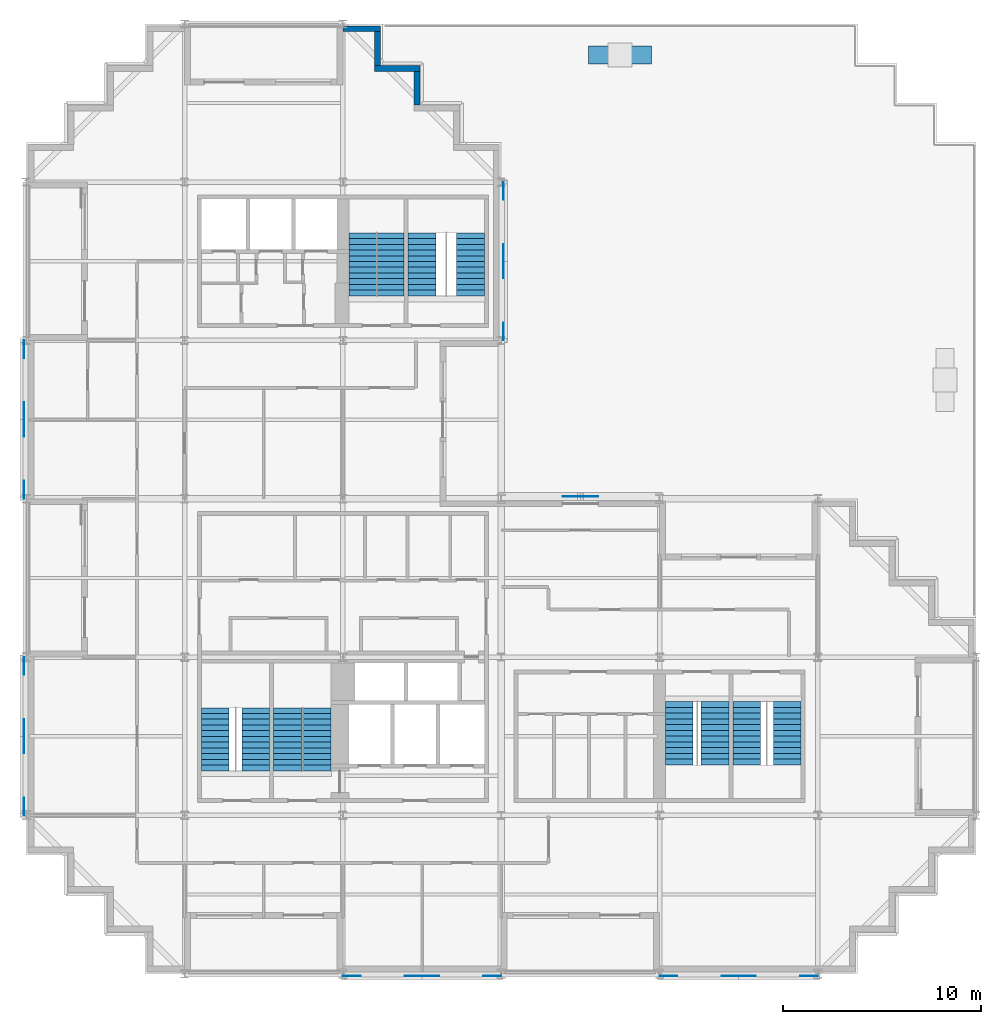
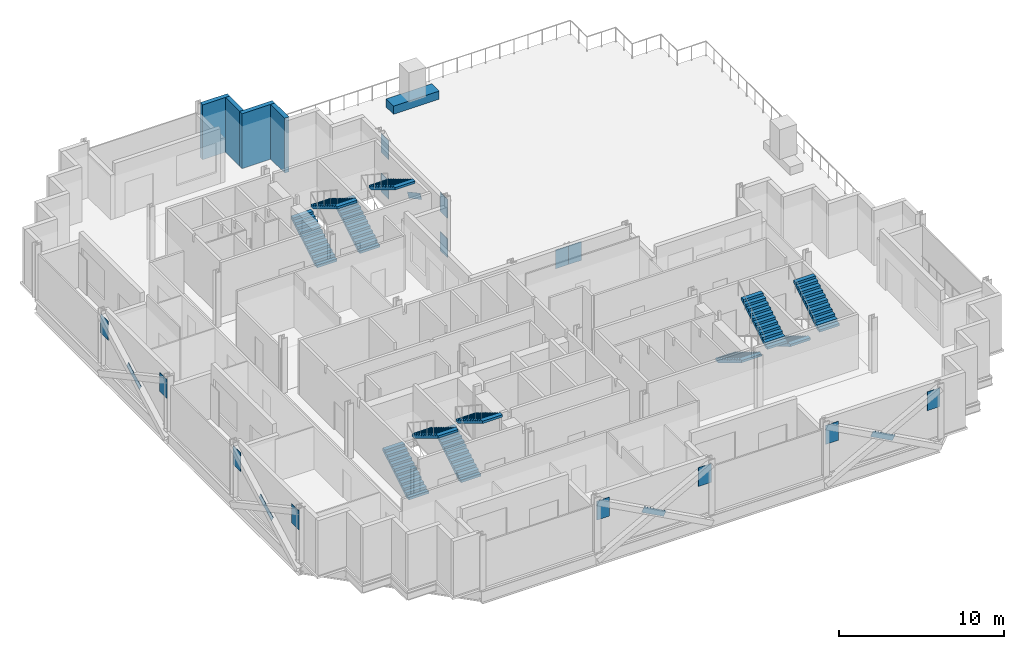
# One storey, part 9 of 12: 19 discrete accessories, 12 stair flights, 5 walls, 6 elements without a shape of their own.
"""IFC4 building model written with IfcOpenShell, lengths in metres."""

from ifc_helpers import new_model, si_unit, direction, frame, frame_2d, origin, origin_2d, place, context, subcontext, project, spatial, polyline, rectangle, outline, extrude, material, layer, layer_set, material_profile, profile_set, type_object, element, aggregate, save


model = new_model("IFC4")

# Units and contexts
model_context = context("Model", 3, precision=1e-05, world=origin(), true_north=direction((0.0, 1.0)))
body_context = subcontext(model_context, "Body", "Model", "MODEL_VIEW")
ifc_project = project(units=[si_unit("LENGTHUNIT", "METRE"), si_unit("AREAUNIT", "SQUARE_METRE"), si_unit("VOLUMEUNIT", "CUBIC_METRE"), si_unit("PLANEANGLEUNIT", "RADIAN"), si_unit("MASSUNIT", "GRAM", prefix="KILO")], contexts=[model_context])

# Site, building, storey
site_placement = place(None, origin())
site = spatial("IfcSite", under=ifc_project, at=site_placement, CompositionType="ELEMENT")
building_placement = place(site_placement, origin())
building = spatial("IfcBuilding", under=site, at=building_placement, Name="Immortelle Media Tower", CompositionType="ELEMENT")
storey_placement = place(building_placement, frame((0.0, 0.0, 120.0)))
storey = spatial("IfcBuildingStorey", under=building, at=storey_placement, Name="L23", CompositionType="ELEMENT", Elevation=120.0)

# Walls
ifc_material_1 = material(Name="Pale aluminium cladding panel", Category="aluminium")
ifc_layer_1 = layer(ifc_material_1, 0.030029296875)
ifc_material_2 = material(Name="Steel ASTM A653 SS Gr 50 stud frame with mineral wool", Category="steel")
ifc_layer_2 = layer(ifc_material_2, 0.257568359375)
ifc_material_3 = material(Name="Moisture-resistant gypsum board", Category="gypsum")
ifc_layer_3 = layer(ifc_material_3, 0.012451171875)
ifc_layer_set_1 = layer_set([ifc_layer_1, ifc_layer_2, ifc_layer_3], Name="Steel ASTM A653 SS Gr 50 stud frame with mineral wool")
wall_type_1 = type_object("IfcWallType", Name="Facade wall 300", PredefinedType="SOLIDWALL", material=ifc_layer_set_1)
wall_1_placement = place(storey_placement, frame((19.75, 43.89990234375, 0.0), z_axis=(0.0, 0.0, 1.0), x_axis=(0.0, 1.0, 0.0)))
element("IfcWall", 1, at=wall_1_placement, inside=storey, type_object=wall_type_1, Name="Facade wall L23 E25", PredefinedType="SOLIDWALL", context=body_context, shape_type="SweptSolid", body=[
    extrude(rectangle(XDim=1.7001953125, YDim=0.300048828125, at=frame_2d((0.85009765625, 0.0))), origin(), (0.0, 0.0, 1.0), 4.050048828125),
])
wall_2_placement = place(storey_placement, frame((19.89990234375, 45.75, 0.0), z_axis=(0.0, 0.0, 1.0), x_axis=(-1.0, 0.0, 0.0)))
element("IfcWall", 2, at=wall_2_placement, inside=storey, type_object=wall_type_1, Name="Facade wall L23 N26", PredefinedType="SOLIDWALL", context=body_context, shape_type="SweptSolid", body=[
    extrude(rectangle(XDim=2.2998046875, YDim=0.300048828125, at=frame_2d((1.14990234375, 0.0))), origin(), (0.0, 0.0, 1.0), 4.050048828125),
])
wall_3_placement = place(storey_placement, frame((17.75, 45.89990234375, 0.0), z_axis=(0.0, 0.0, 1.0), x_axis=(0.0, 1.0, 0.0)))
element("IfcWall", 3, at=wall_3_placement, inside=storey, type_object=wall_type_1, Name="Facade wall L23 E27", PredefinedType="SOLIDWALL", context=body_context, shape_type="SweptSolid", body=[
    extrude(rectangle(XDim=1.7001953125, YDim=0.300048828125, at=frame_2d((0.85009765625, 0.0))), origin(), (0.0, 0.0, 1.0), 4.050048828125),
])
wall_4_placement = place(storey_placement, frame((17.89990234375, 47.75, 0.0), z_axis=(0.0, 0.0, 1.0), x_axis=(-1.0, 0.0, 0.0)))
element("IfcWall", 4, at=wall_4_placement, inside=storey, type_object=wall_type_1, Name="Facade wall L23 N28", PredefinedType="SOLIDWALL", context=body_context, shape_type="SweptSolid", body=[
    extrude(rectangle(XDim=1.89990234375, YDim=0.300048828125, at=frame_2d((0.949951171875, 0.0))), origin(), (0.0, 0.0, 1.0), 4.050048828125),
])
ifc_layer_4 = layer(ifc_material_1, 0.0029296875)
ifc_material_4 = material(Name="Steel ASTM A572 Gr 50 planter shell", Category="steel")
ifc_layer_5 = layer(ifc_material_4, 0.011962890625)
ifc_material_5 = material(Name="Planting substrate", Category="soil")
ifc_layer_6 = layer(ifc_material_5, 0.873046875)
ifc_layer_7 = layer(ifc_material_4, 0.011962890625)
ifc_layer_set_2 = layer_set([ifc_layer_4, ifc_layer_5, ifc_layer_6, ifc_layer_7], Name="Steel ASTM A572 Gr 50 planter shell")
wall_type_2 = type_object("IfcWallType", Name="Planter wall 900", PredefinedType="SOLIDWALL", material=ifc_layer_set_2)
wall_5_placement = place(storey_placement, frame((28.40087890625, 46.429931640625, 0.0), z_axis=(0.0, 0.0, 1.0), x_axis=(1.0, 0.0, 0.0)))
element("IfcWall", 5, at=wall_5_placement, inside=storey, type_object=wall_type_2, Name="Terrace planter L23 NE0.0-1", PredefinedType="SOLIDWALL", context=body_context, shape_type="SweptSolid", body=[
    extrude(rectangle(XDim=3.2001953125, YDim=0.89990234375, at=frame_2d((1.60009765625, 0.0))), origin(), (0.0, 0.0, 1.0), 0.60009765625),
])

# Stair, stair flights
ifc_material_6 = material(Name="Steel ASTM A992 Gr 50", Category="steel")
stair_type = type_object("IfcStairType", Name="Stair with flights", PredefinedType="DOUBLE_RETURN_STAIR", material=ifc_material_6)
stair_1_placement = place(storey_placement, origin())
stair_1 = element("IfcStair", 6, at=stair_1_placement, inside=storey, type_object=stair_type, Name="Exit stair SW1", PredefinedType="DOUBLE_RETURN_STAIR")
stair_flight_type = type_object("IfcStairFlightType", Name="Stair flight 1400", PredefinedType="STRAIGHT", material=ifc_material_6)
stair_flight_1_placement = place(storey_placement, frame((9.550048828125, 10.25, 0.0), z_axis=(0.0, 0.0, 1.0), x_axis=(0.0, 1.0, 0.0)))
stair_flight_1 = element("IfcStairFlight", 7, at=stair_flight_1_placement, type_object=stair_flight_type, Name="ST SW1 flight 1", NumberOfRisers=12, NumberOfTreads=11, PredefinedType="STRAIGHT", RiserHeight=0.175, TreadLength=0.29, context=body_context, shape_type="SweptSolid", body=[
    extrude(outline(polyline([(0.0, 0.0), (0.0, 0.175048828125), (0.2900390625, 0.175048828125), (0.2900390625, 0.35009765625), (0.580078125, 0.35009765625), (0.580078125, 0.52490234375), (0.8701171875, 0.52490234375), (0.8701171875, 0.699951171875), (1.159912109375, 0.699951171875), (1.159912109375, 0.875), (1.449951171875, 0.875), (1.449951171875, 1.050048828125), (1.739990234375, 1.050048828125), (1.739990234375, 1.22509765625), (2.030029296875, 1.22509765625), (2.030029296875, 1.39990234375), (2.320068359375, 1.39990234375), (2.320068359375, 1.574951171875), (2.610107421875, 1.574951171875), (2.610107421875, 1.75), (2.89990234375, 1.75), (2.89990234375, 1.925048828125), (3.18994140625, 1.925048828125), (3.18994140625, 2.10009765625), (3.18994140625, 1.75), (0.2900390625, 0.0), (0.0, 0.0)])), frame((0.0, 0.699951171875, 0.0), z_axis=(0.0, -1.0, 0.0), x_axis=(1.0, 0.0, 0.0)), (0.0, 0.0, 1.0), 1.39990234375),
])
stair_flight_2_placement = place(storey_placement, frame((11.60009765625, 13.43994140625, 2.10009765625), z_axis=(0.0, 0.0, 1.0), x_axis=(0.0, -1.0, 0.0)))
stair_flight_2 = element("IfcStairFlight", 8, at=stair_flight_2_placement, type_object=stair_flight_type, Name="ST SW1 flight 2", NumberOfRisers=12, NumberOfTreads=11, PredefinedType="STRAIGHT", RiserHeight=0.175, TreadLength=0.29, context=body_context, shape_type="SweptSolid", body=[
    extrude(outline(polyline([(0.0, 0.0), (0.0, 0.175048828125), (0.2900390625, 0.175048828125), (0.2900390625, 0.35009765625), (0.580078125, 0.35009765625), (0.580078125, 0.52490234375), (0.8701171875, 0.52490234375), (0.8701171875, 0.699951171875), (1.159912109375, 0.699951171875), (1.159912109375, 0.875), (1.449951171875, 0.875), (1.449951171875, 1.050048828125), (1.739990234375, 1.050048828125), (1.739990234375, 1.22509765625), (2.030029296875, 1.22509765625), (2.030029296875, 1.39990234375), (2.320068359375, 1.39990234375), (2.320068359375, 1.574951171875), (2.610107421875, 1.574951171875), (2.610107421875, 1.75), (2.89990234375, 1.75), (2.89990234375, 1.925048828125), (3.18994140625, 1.925048828125), (3.18994140625, 2.10009765625), (3.18994140625, 1.75), (0.2900390625, 0.0), (0.0, 0.0)])), frame((0.0, 0.699951171875, 0.0), z_axis=(0.0, -1.0, 0.0), x_axis=(1.0, 0.0, 0.0)), (0.0, 0.0, 1.0), 1.39990234375),
])
aggregate(stair_1, [stair_flight_1, stair_flight_2])

stair_2_placement = place(storey_placement, origin())
stair_2 = element("IfcStair", 9, at=stair_2_placement, inside=storey, type_object=stair_type, Name="Exit stair SW2", PredefinedType="DOUBLE_RETURN_STAIR")
stair_flight_3_placement = place(storey_placement, frame((13.199951171875, 10.25, 0.0), z_axis=(0.0, 0.0, 1.0), x_axis=(0.0, 1.0, 0.0)))
stair_flight_3 = element("IfcStairFlight", 10, at=stair_flight_3_placement, type_object=stair_flight_type, Name="ST SW2 flight 1", NumberOfRisers=12, NumberOfTreads=11, PredefinedType="STRAIGHT", RiserHeight=0.175, TreadLength=0.29, context=body_context, shape_type="SweptSolid", body=[
    extrude(outline(polyline([(0.0, 0.0), (0.0, 0.175048828125), (0.2900390625, 0.175048828125), (0.2900390625, 0.35009765625), (0.580078125, 0.35009765625), (0.580078125, 0.52490234375), (0.8701171875, 0.52490234375), (0.8701171875, 0.699951171875), (1.159912109375, 0.699951171875), (1.159912109375, 0.875), (1.449951171875, 0.875), (1.449951171875, 1.050048828125), (1.739990234375, 1.050048828125), (1.739990234375, 1.22509765625), (2.030029296875, 1.22509765625), (2.030029296875, 1.39990234375), (2.320068359375, 1.39990234375), (2.320068359375, 1.574951171875), (2.610107421875, 1.574951171875), (2.610107421875, 1.75), (2.89990234375, 1.75), (2.89990234375, 1.925048828125), (3.18994140625, 1.925048828125), (3.18994140625, 2.10009765625), (3.18994140625, 1.75), (0.2900390625, 0.0), (0.0, 0.0)])), frame((0.0, 0.699951171875, 0.0), z_axis=(0.0, -1.0, 0.0), x_axis=(1.0, 0.0, 0.0)), (0.0, 0.0, 1.0), 1.39990234375),
])
stair_flight_4_placement = place(storey_placement, frame((14.699951171875, 13.43994140625, 2.10009765625), z_axis=(0.0, 0.0, 1.0), x_axis=(0.0, -1.0, 0.0)))
stair_flight_4 = element("IfcStairFlight", 11, at=stair_flight_4_placement, type_object=stair_flight_type, Name="ST SW2 flight 2", NumberOfRisers=12, NumberOfTreads=11, PredefinedType="STRAIGHT", RiserHeight=0.175, TreadLength=0.29, context=body_context, shape_type="SweptSolid", body=[
    extrude(outline(polyline([(0.0, 0.0), (0.0, 0.175048828125), (0.2900390625, 0.175048828125), (0.2900390625, 0.35009765625), (0.580078125, 0.35009765625), (0.580078125, 0.52490234375), (0.8701171875, 0.52490234375), (0.8701171875, 0.699951171875), (1.159912109375, 0.699951171875), (1.159912109375, 0.875), (1.449951171875, 0.875), (1.449951171875, 1.050048828125), (1.739990234375, 1.050048828125), (1.739990234375, 1.22509765625), (2.030029296875, 1.22509765625), (2.030029296875, 1.39990234375), (2.320068359375, 1.39990234375), (2.320068359375, 1.574951171875), (2.610107421875, 1.574951171875), (2.610107421875, 1.75), (2.89990234375, 1.75), (2.89990234375, 1.925048828125), (3.18994140625, 1.925048828125), (3.18994140625, 2.10009765625), (3.18994140625, 1.75), (0.2900390625, 0.0), (0.0, 0.0)])), frame((0.0, 0.699951171875, 0.0), z_axis=(0.0, -1.0, 0.0), x_axis=(1.0, 0.0, 0.0)), (0.0, 0.0, 1.0), 1.39990234375),
])
aggregate(stair_2, [stair_flight_3, stair_flight_4])

stair_3_placement = place(storey_placement, origin())
stair_3 = element("IfcStair", 12, at=stair_3_placement, inside=storey, type_object=stair_type, Name="Exit stair SE1", PredefinedType="DOUBLE_RETURN_STAIR")
stair_flight_5_placement = place(storey_placement, frame((33.0, 13.75, 0.0), z_axis=(0.0, 0.0, 1.0), x_axis=(0.0, -1.0, 0.0)))
stair_flight_5 = element("IfcStairFlight", 13, at=stair_flight_5_placement, type_object=stair_flight_type, Name="ST SE1 flight 1", NumberOfRisers=12, NumberOfTreads=11, PredefinedType="STRAIGHT", RiserHeight=0.175, TreadLength=0.29, context=body_context, shape_type="SweptSolid", body=[
    extrude(outline(polyline([(0.0, 0.0), (0.0, 0.175048828125), (0.2900390625, 0.175048828125), (0.2900390625, 0.35009765625), (0.580078125, 0.35009765625), (0.580078125, 0.52490234375), (0.8701171875, 0.52490234375), (0.8701171875, 0.699951171875), (1.159912109375, 0.699951171875), (1.159912109375, 0.875), (1.449951171875, 0.875), (1.449951171875, 1.050048828125), (1.739990234375, 1.050048828125), (1.739990234375, 1.22509765625), (2.030029296875, 1.22509765625), (2.030029296875, 1.39990234375), (2.320068359375, 1.39990234375), (2.320068359375, 1.574951171875), (2.610107421875, 1.574951171875), (2.610107421875, 1.75), (2.89990234375, 1.75), (2.89990234375, 1.925048828125), (3.18994140625, 1.925048828125), (3.18994140625, 2.10009765625), (3.18994140625, 1.75), (0.2900390625, 0.0), (0.0, 0.0)])), frame((0.0, 0.699951171875, 0.0), z_axis=(0.0, -1.0, 0.0), x_axis=(1.0, 0.0, 0.0)), (0.0, 0.0, 1.0), 1.39990234375),
])
stair_flight_6_placement = place(storey_placement, frame((34.800048828125, 10.56005859375, 2.10009765625), z_axis=(0.0, 0.0, 1.0), x_axis=(0.0, 1.0, 0.0)))
stair_flight_6 = element("IfcStairFlight", 14, at=stair_flight_6_placement, type_object=stair_flight_type, Name="ST SE1 flight 2", NumberOfRisers=12, NumberOfTreads=11, PredefinedType="STRAIGHT", RiserHeight=0.175, TreadLength=0.29, context=body_context, shape_type="SweptSolid", body=[
    extrude(outline(polyline([(0.0, 0.0), (0.0, 0.175048828125), (0.2900390625, 0.175048828125), (0.2900390625, 0.35009765625), (0.580078125, 0.35009765625), (0.580078125, 0.52490234375), (0.8701171875, 0.52490234375), (0.8701171875, 0.699951171875), (1.159912109375, 0.699951171875), (1.159912109375, 0.875), (1.449951171875, 0.875), (1.449951171875, 1.050048828125), (1.739990234375, 1.050048828125), (1.739990234375, 1.22509765625), (2.030029296875, 1.22509765625), (2.030029296875, 1.39990234375), (2.320068359375, 1.39990234375), (2.320068359375, 1.574951171875), (2.610107421875, 1.574951171875), (2.610107421875, 1.75), (2.89990234375, 1.75), (2.89990234375, 1.925048828125), (3.18994140625, 1.925048828125), (3.18994140625, 2.10009765625), (3.18994140625, 1.75), (0.2900390625, 0.0), (0.0, 0.0)])), frame((0.0, 0.699951171875, 0.0), z_axis=(0.0, -1.0, 0.0), x_axis=(1.0, 0.0, 0.0)), (0.0, 0.0, 1.0), 1.39990234375),
])
aggregate(stair_3, [stair_flight_5, stair_flight_6])

stair_4_placement = place(storey_placement, origin())
stair_4 = element("IfcStair", 15, at=stair_4_placement, inside=storey, type_object=stair_type, Name="Exit stair SE2", PredefinedType="DOUBLE_RETURN_STAIR")
stair_flight_7_placement = place(storey_placement, frame((36.39990234375, 13.75, 0.0), z_axis=(0.0, 0.0, 1.0), x_axis=(0.0, -1.0, 0.0)))
stair_flight_7 = element("IfcStairFlight", 16, at=stair_flight_7_placement, type_object=stair_flight_type, Name="ST SE2 flight 1", NumberOfRisers=12, NumberOfTreads=11, PredefinedType="STRAIGHT", RiserHeight=0.175, TreadLength=0.29, context=body_context, shape_type="SweptSolid", body=[
    extrude(outline(polyline([(0.0, 0.0), (0.0, 0.175048828125), (0.2900390625, 0.175048828125), (0.2900390625, 0.35009765625), (0.580078125, 0.35009765625), (0.580078125, 0.52490234375), (0.8701171875, 0.52490234375), (0.8701171875, 0.699951171875), (1.159912109375, 0.699951171875), (1.159912109375, 0.875), (1.449951171875, 0.875), (1.449951171875, 1.050048828125), (1.739990234375, 1.050048828125), (1.739990234375, 1.22509765625), (2.030029296875, 1.22509765625), (2.030029296875, 1.39990234375), (2.320068359375, 1.39990234375), (2.320068359375, 1.574951171875), (2.610107421875, 1.574951171875), (2.610107421875, 1.75), (2.89990234375, 1.75), (2.89990234375, 1.925048828125), (3.18994140625, 1.925048828125), (3.18994140625, 2.10009765625), (3.18994140625, 1.75), (0.2900390625, 0.0), (0.0, 0.0)])), frame((0.0, 0.699951171875, 0.0), z_axis=(0.0, -1.0, 0.0), x_axis=(1.0, 0.0, 0.0)), (0.0, 0.0, 1.0), 1.39990234375),
])
stair_flight_8_placement = place(storey_placement, frame((38.449951171875, 10.56005859375, 2.10009765625), z_axis=(0.0, 0.0, 1.0), x_axis=(0.0, 1.0, 0.0)))
stair_flight_8 = element("IfcStairFlight", 17, at=stair_flight_8_placement, type_object=stair_flight_type, Name="ST SE2 flight 2", NumberOfRisers=12, NumberOfTreads=11, PredefinedType="STRAIGHT", RiserHeight=0.175, TreadLength=0.29, context=body_context, shape_type="SweptSolid", body=[
    extrude(outline(polyline([(0.0, 0.0), (0.0, 0.175048828125), (0.2900390625, 0.175048828125), (0.2900390625, 0.35009765625), (0.580078125, 0.35009765625), (0.580078125, 0.52490234375), (0.8701171875, 0.52490234375), (0.8701171875, 0.699951171875), (1.159912109375, 0.699951171875), (1.159912109375, 0.875), (1.449951171875, 0.875), (1.449951171875, 1.050048828125), (1.739990234375, 1.050048828125), (1.739990234375, 1.22509765625), (2.030029296875, 1.22509765625), (2.030029296875, 1.39990234375), (2.320068359375, 1.39990234375), (2.320068359375, 1.574951171875), (2.610107421875, 1.574951171875), (2.610107421875, 1.75), (2.89990234375, 1.75), (2.89990234375, 1.925048828125), (3.18994140625, 1.925048828125), (3.18994140625, 2.10009765625), (3.18994140625, 1.75), (0.2900390625, 0.0), (0.0, 0.0)])), frame((0.0, 0.699951171875, 0.0), z_axis=(0.0, -1.0, 0.0), x_axis=(1.0, 0.0, 0.0)), (0.0, 0.0, 1.0), 1.39990234375),
])
aggregate(stair_4, [stair_flight_7, stair_flight_8])

stair_5_placement = place(storey_placement, origin())
stair_5 = element("IfcStair", 18, at=stair_5_placement, inside=storey, type_object=stair_type, Name="Exit stair NW1", PredefinedType="DOUBLE_RETURN_STAIR")
stair_flight_9_placement = place(storey_placement, frame((17.0, 34.25, 0.0), z_axis=(0.0, 0.0, 1.0), x_axis=(0.0, 1.0, 0.0)))
stair_flight_9 = element("IfcStairFlight", 19, at=stair_flight_9_placement, type_object=stair_flight_type, Name="ST NW1 flight 1", NumberOfRisers=12, NumberOfTreads=11, PredefinedType="STRAIGHT", RiserHeight=0.175, TreadLength=0.29, context=body_context, shape_type="SweptSolid", body=[
    extrude(outline(polyline([(0.0, 0.0), (0.0, 0.175048828125), (0.2900390625, 0.175048828125), (0.2900390625, 0.35009765625), (0.580078125, 0.35009765625), (0.580078125, 0.52490234375), (0.8701171875, 0.52490234375), (0.8701171875, 0.699951171875), (1.159912109375, 0.699951171875), (1.159912109375, 0.875), (1.449951171875, 0.875), (1.449951171875, 1.050048828125), (1.739990234375, 1.050048828125), (1.739990234375, 1.22509765625), (2.030029296875, 1.22509765625), (2.030029296875, 1.39990234375), (2.320068359375, 1.39990234375), (2.320068359375, 1.574951171875), (2.610107421875, 1.574951171875), (2.610107421875, 1.75), (2.89990234375, 1.75), (2.89990234375, 1.925048828125), (3.18994140625, 1.925048828125), (3.18994140625, 2.10009765625), (3.18994140625, 1.75), (0.2900390625, 0.0), (0.0, 0.0)])), frame((0.0, 0.699951171875, 0.0), z_axis=(0.0, -1.0, 0.0), x_axis=(1.0, 0.0, 0.0)), (0.0, 0.0, 1.0), 1.39990234375),
])
stair_flight_10_placement = place(storey_placement, frame((18.39990234375, 37.43994140625, 2.10009765625), z_axis=(0.0, 0.0, 1.0), x_axis=(0.0, -1.0, 0.0)))
stair_flight_10 = element("IfcStairFlight", 20, at=stair_flight_10_placement, type_object=stair_flight_type, Name="ST NW1 flight 2", NumberOfRisers=12, NumberOfTreads=11, PredefinedType="STRAIGHT", RiserHeight=0.175, TreadLength=0.29, context=body_context, shape_type="SweptSolid", body=[
    extrude(outline(polyline([(0.0, 0.0), (0.0, 0.175048828125), (0.2900390625, 0.175048828125), (0.2900390625, 0.35009765625), (0.580078125, 0.35009765625), (0.580078125, 0.52490234375), (0.8701171875, 0.52490234375), (0.8701171875, 0.699951171875), (1.159912109375, 0.699951171875), (1.159912109375, 0.875), (1.449951171875, 0.875), (1.449951171875, 1.050048828125), (1.739990234375, 1.050048828125), (1.739990234375, 1.22509765625), (2.030029296875, 1.22509765625), (2.030029296875, 1.39990234375), (2.320068359375, 1.39990234375), (2.320068359375, 1.574951171875), (2.610107421875, 1.574951171875), (2.610107421875, 1.75), (2.89990234375, 1.75), (2.89990234375, 1.925048828125), (3.18994140625, 1.925048828125), (3.18994140625, 2.10009765625), (3.18994140625, 1.75), (0.2900390625, 0.0), (0.0, 0.0)])), frame((0.0, 0.699951171875, 0.0), z_axis=(0.0, -1.0, 0.0), x_axis=(1.0, 0.0, 0.0)), (0.0, 0.0, 1.0), 1.39990234375),
])
aggregate(stair_5, [stair_flight_9, stair_flight_10])

stair_6_placement = place(storey_placement, origin())
stair_6 = element("IfcStair", 21, at=stair_6_placement, inside=storey, type_object=stair_type, Name="Exit stair NW2", PredefinedType="DOUBLE_RETURN_STAIR")
stair_flight_11_placement = place(storey_placement, frame((20.0, 34.25, 0.0), z_axis=(0.0, 0.0, 1.0), x_axis=(0.0, 1.0, 0.0)))
stair_flight_11 = element("IfcStairFlight", 22, at=stair_flight_11_placement, type_object=stair_flight_type, Name="ST NW2 flight 1", NumberOfRisers=12, NumberOfTreads=11, PredefinedType="STRAIGHT", RiserHeight=0.175, TreadLength=0.29, context=body_context, shape_type="SweptSolid", body=[
    extrude(outline(polyline([(0.0, 0.0), (0.0, 0.175048828125), (0.2900390625, 0.175048828125), (0.2900390625, 0.35009765625), (0.580078125, 0.35009765625), (0.580078125, 0.52490234375), (0.8701171875, 0.52490234375), (0.8701171875, 0.699951171875), (1.159912109375, 0.699951171875), (1.159912109375, 0.875), (1.449951171875, 0.875), (1.449951171875, 1.050048828125), (1.739990234375, 1.050048828125), (1.739990234375, 1.22509765625), (2.030029296875, 1.22509765625), (2.030029296875, 1.39990234375), (2.320068359375, 1.39990234375), (2.320068359375, 1.574951171875), (2.610107421875, 1.574951171875), (2.610107421875, 1.75), (2.89990234375, 1.75), (2.89990234375, 1.925048828125), (3.18994140625, 1.925048828125), (3.18994140625, 2.10009765625), (3.18994140625, 1.75), (0.2900390625, 0.0), (0.0, 0.0)])), frame((0.0, 0.699951171875, 0.0), z_axis=(0.0, -1.0, 0.0), x_axis=(1.0, 0.0, 0.0)), (0.0, 0.0, 1.0), 1.39990234375),
])
stair_flight_12_placement = place(storey_placement, frame((22.449951171875, 37.43994140625, 2.10009765625), z_axis=(0.0, 0.0, 1.0), x_axis=(0.0, -1.0, 0.0)))
stair_flight_12 = element("IfcStairFlight", 23, at=stair_flight_12_placement, type_object=stair_flight_type, Name="ST NW2 flight 2", NumberOfRisers=12, NumberOfTreads=11, PredefinedType="STRAIGHT", RiserHeight=0.175, TreadLength=0.29, context=body_context, shape_type="SweptSolid", body=[
    extrude(outline(polyline([(0.0, 0.0), (0.0, 0.175048828125), (0.2900390625, 0.175048828125), (0.2900390625, 0.35009765625), (0.580078125, 0.35009765625), (0.580078125, 0.52490234375), (0.8701171875, 0.52490234375), (0.8701171875, 0.699951171875), (1.159912109375, 0.699951171875), (1.159912109375, 0.875), (1.449951171875, 0.875), (1.449951171875, 1.050048828125), (1.739990234375, 1.050048828125), (1.739990234375, 1.22509765625), (2.030029296875, 1.22509765625), (2.030029296875, 1.39990234375), (2.320068359375, 1.39990234375), (2.320068359375, 1.574951171875), (2.610107421875, 1.574951171875), (2.610107421875, 1.75), (2.89990234375, 1.75), (2.89990234375, 1.925048828125), (3.18994140625, 1.925048828125), (3.18994140625, 2.10009765625), (3.18994140625, 1.75), (0.2900390625, 0.0), (0.0, 0.0)])), frame((0.0, 0.699951171875, 0.0), z_axis=(0.0, -1.0, 0.0), x_axis=(1.0, 0.0, 0.0)), (0.0, 0.0, 1.0), 1.39990234375),
])
aggregate(stair_6, [stair_flight_11, stair_flight_12])

# Discrete accessories
ifc_material_7 = material(Name="Steel ASTM A572 Gr 50", Category="steel")
ifc_material_profile_1 = material_profile(ifc_material_7, rectangle(XDim=0.02392578125, YDim=0.406005859375, at=origin_2d()), Name="PL 24 x 406")
ifc_profile_set_1 = profile_set([ifc_material_profile_1], Name="Steel ASTM A572 Gr 50")
discrete_accessory_type_1 = type_object("IfcDiscreteAccessoryType", Name="Crossing plate XP-BR4 1750 x 406 x 24", PredefinedType="USERDEFINED", material=ifc_profile_set_1)
for number, where, z_axis, x_axis, name in (
    (24, (24.113037109375, 35.22998046875, 1.96044921875), (0.0, 0.88004068284, -0.474898301266), (-1.0, 0.0, 0.0), "Crossing plate XP-BR4 of Brace 4/E-F A and Brace 4/E-F B"),
    (25, (-0.113037109375, 28.77001953125, 1.96044921875), (0.0, -0.88004068284, -0.474898301266), (1.0, 0.0, 0.0), "Crossing plate XP-BR4 of Brace 1/D-E A and Brace 1/D-E B"),
    (26, (-0.113037109375, 12.77001953125, 1.96044921875), (0.0, -0.88004068284, -0.474898301266), (1.0, 0.0, 0.0), "Crossing plate XP-BR4 of Brace 1/B-C A and Brace 1/B-C B"),
    (27, (19.22998046875, -0.113037109375, 1.96044921875), (0.88004068284, 0.0, -0.474898301266), (0.0, 1.0, 0.0), "Crossing plate XP-BR4 of Brace A/3-4 A and Brace A/3-4 B"),
    (28, (35.22998046875, -0.113037109375, 1.96044921875), (0.88004068284, 0.0, -0.474898301266), (0.0, 1.0, 0.0), "Crossing plate XP-BR4 of Brace A/5-6 A and Brace A/5-6 B"),
):
    element("IfcDiscreteAccessory", number, at=place(storey_placement, frame(where, z_axis=z_axis, x_axis=x_axis)), inside=storey, type_object=discrete_accessory_type_1, Name=name, ObjectType="CROSSING PLATE", PredefinedType="USERDEFINED", context=body_context, shape_type="SweptSolid", body=[
        extrude(rectangle(XDim=0.02392578125, YDim=0.406005859375, at=origin_2d()), origin(), (0.0, 0.0, 1.0), 1.75),
    ])
ifc_material_profile_2 = material_profile(ifc_material_7, rectangle(XDim=0.031982421875, YDim=1.39990234375, at=origin_2d()), Name="PL 32 x 1400")
ifc_profile_set_2 = profile_set([ifc_material_profile_2], Name="Steel ASTM A572 Gr 50")
discrete_accessory_type_2 = type_object("IfcDiscreteAccessoryType", Name="Gusset plate GP1 900 x 1400 x 32", PredefinedType="USERDEFINED", material=ifc_profile_set_2)
for number, where, z_axis, x_axis, name in (
    (29, (24.0, -0.113037109375, 3.00341796875), (-1.0, 0.0, 0.0), (0.0, -1.0, 0.0), "Gusset plate GP1, upper end of Brace A/3-4 A"),
    (30, (16.0, -0.113037109375, 3.00341796875), (1.0, 0.0, 0.0), (0.0, 1.0, 0.0), "Gusset plate GP1, upper end of Brace A/3-4 B"),
    (31, (40.0, -0.113037109375, 3.00341796875), (-1.0, 0.0, 0.0), (0.0, -1.0, 0.0), "Gusset plate GP1, upper end of Brace A/5-6 A"),
    (32, (32.0, -0.113037109375, 3.00341796875), (1.0, 0.0, 0.0), (0.0, 1.0, 0.0), "Gusset plate GP1, upper end of Brace A/5-6 B"),
    (33, (28.0, 24.113037109375, 3.00341796875), (1.0, 0.0, 0.0), (0.0, 1.0, 0.0), "Gusset plate GP1, upper end of Brace D/4-5 A"),
    (34, (28.0, 24.113037109375, 3.00341796875), (-1.0, 0.0, 0.0), (0.0, -1.0, 0.0), "Gusset plate GP1, upper end of Brace D/4-5 B"),
    (35, (24.113037109375, 32.0, 0.08642578125), (0.0, 1.0, 0.0), (-1.0, 0.0, 0.0), "Gusset plate GP1, lower end of Brace 4/E-F A"),
    (36, (24.113037109375, 40.0, 3.00341796875), (0.0, -1.0, 0.0), (1.0, 0.0, 0.0), "Gusset plate GP1, upper end of Brace 4/E-F A"),
    (37, (24.113037109375, 40.0, 0.08642578125), (0.0, -1.0, 0.0), (1.0, 0.0, 0.0), "Gusset plate GP1, lower end of Brace 4/E-F B"),
    (38, (24.113037109375, 32.0, 3.00341796875), (0.0, 1.0, 0.0), (-1.0, 0.0, 0.0), "Gusset plate GP1, upper end of Brace 4/E-F B"),
    (39, (-0.113037109375, 24.0, 3.00341796875), (0.0, 1.0, 0.0), (-1.0, 0.0, 0.0), "Gusset plate GP1, upper end of Brace 1/D-E A"),
    (40, (-0.113037109375, 32.0, 3.00341796875), (0.0, -1.0, 0.0), (1.0, 0.0, 0.0), "Gusset plate GP1, upper end of Brace 1/D-E B"),
    (41, (-0.113037109375, 8.0, 3.00341796875), (0.0, 1.0, 0.0), (-1.0, 0.0, 0.0), "Gusset plate GP1, upper end of Brace 1/B-C A"),
    (42, (-0.113037109375, 16.0, 3.00341796875), (0.0, -1.0, 0.0), (1.0, 0.0, 0.0), "Gusset plate GP1, upper end of Brace 1/B-C B"),
):
    element("IfcDiscreteAccessory", number, at=place(storey_placement, frame(where, z_axis=z_axis, x_axis=x_axis)), inside=storey, type_object=discrete_accessory_type_2, Name=name, ObjectType="GUSSET PLATE", PredefinedType="USERDEFINED", context=body_context, shape_type="SweptSolid", body=[
        extrude(rectangle(XDim=0.031982421875, YDim=1.39990234375, at=origin_2d()), origin(), (0.0, 0.0, 1.0), 0.89990234375),
    ])

save(model, "model.ifc")
